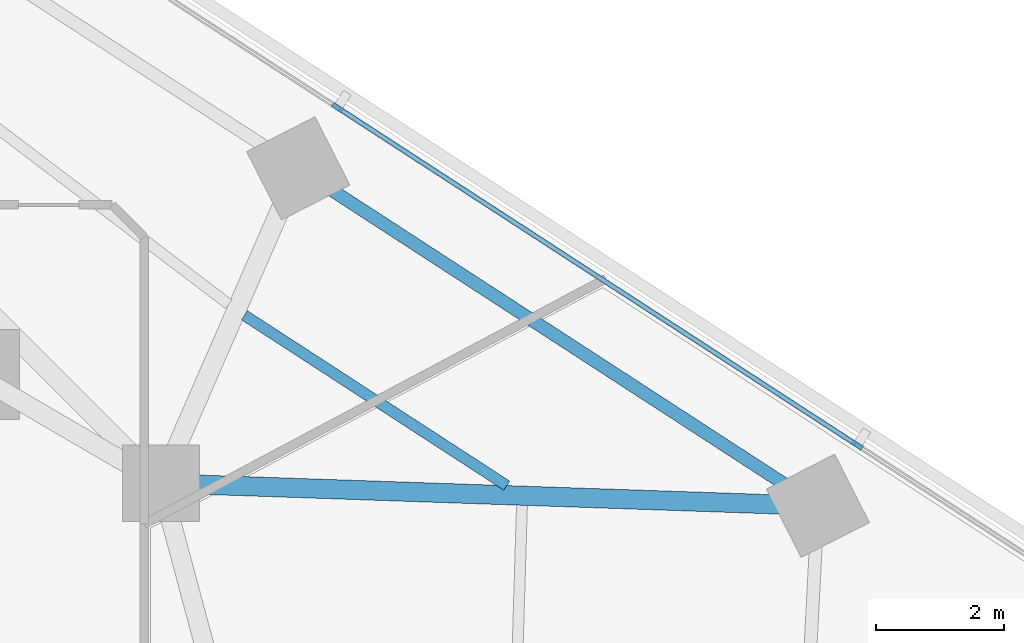
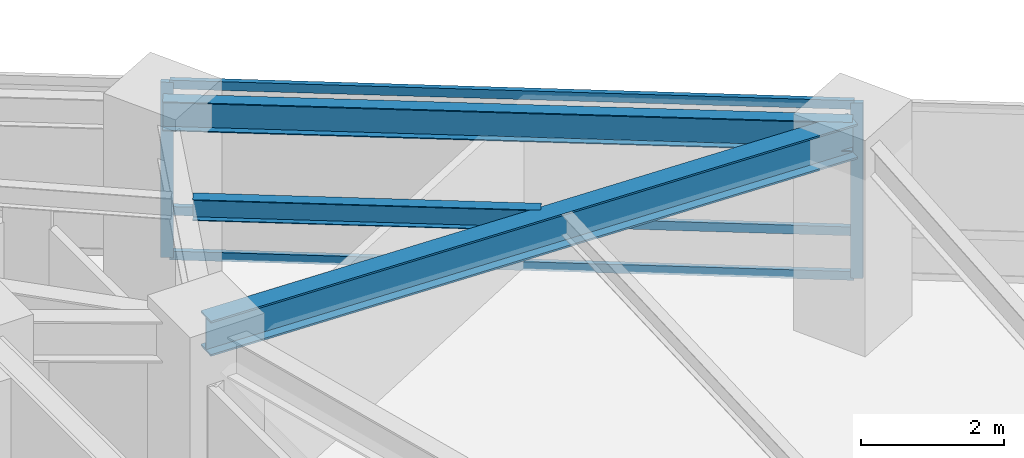
# One storey, part 6 of 14: 5 members, 3 beams, 1 element without a shape of its own.
"""IFC4 building model written with IfcOpenShell, lengths in metres."""

import ifcopenshell
import ifcopenshell.guid

model = None  # the IFC model being written
_history = None  # IfcOwnerHistory: only IFC2X3 demands one
_inside = {}  # id of a spatial element -> (the spatial element, [elements in it])
_under = {}  # id of a project, library or spatial element -> (it, [spatial elements below it])
_declared = {}  # id of a project -> (the project, [libraries it declares])
_typed = {}  # id of a type object -> (the type object, [elements of that type])
_made_of = {}  # id of a material, layer set ... -> (it, [elements and type objects made of it])


def new_model(schema):
    """Start an empty IFC model of exactly this schema.

    Asked for "IFC4X3", IfcOpenShell would pick the latest addendum, in which some entities
    have other attributes; the version numbers below select the first issue.
    IFC2X3 requires an IfcOwnerHistory on every rooted entity: one is made here for all.
    """
    global model, _history
    if schema == "IFC4X3":
        model = ifcopenshell.file(schema_version=(4, 3, 0, 0))
    else:
        model = ifcopenshell.file(schema=schema)
    _inside.clear()
    _under.clear()
    _declared.clear()
    _typed.clear()
    _made_of.clear()
    _history = None
    if model.schema == "IFC2X3":
        org = make("IfcOrganization", Name="unknown")
        user = make(
            "IfcPersonAndOrganization",
            ThePerson=make("IfcPerson", FamilyName="unknown"),
            TheOrganization=org,
        )
        app = make(
            "IfcApplication",
            ApplicationDeveloper=org,
            Version="unknown",
            ApplicationFullName="unknown",
            ApplicationIdentifier="unknown",
        )
        _history = make(
            "IfcOwnerHistory",
            OwningUser=user,
            OwningApplication=app,
            ChangeAction="ADDED",
            CreationDate=0,
        )
    return model


def make(cls, **values):
    """One entity of the class cls with the attributes given. An attribute that is None is left unset."""
    return model.create_entity(
        cls, **{name: value for name, value in values.items() if value is not None}
    )


def rooted(cls, **values):
    """An entity with a GlobalId (a new one), such as an element, a storey or a relation."""
    return make(cls, GlobalId=ifcopenshell.guid.new(), OwnerHistory=_history, **values)


def si_unit(unit_type, name, prefix=None):
    """IfcSIUnit, for example si_unit("LENGTHUNIT", "METRE", prefix="MILLI")."""
    return make("IfcSIUnit", UnitType=unit_type, Prefix=prefix, Name=name)


def assignment(units):
    """IfcUnitAssignment: the units of a project."""
    return None if units is None else make("IfcUnitAssignment", Units=units)


def point(xyz):
    """IfcCartesianPoint."""
    return None if xyz is None else make("IfcCartesianPoint", Coordinates=xyz)


def direction(xyz):
    """IfcDirection."""
    return None if xyz is None else make("IfcDirection", DirectionRatios=xyz)


def frame(location, z_axis=None, x_axis=None):
    """IfcAxis2Placement3D, a coordinate frame: its origin and axes. An axis left out is left unset."""
    return make(
        "IfcAxis2Placement3D",
        Location=point(location),
        Axis=direction(z_axis),
        RefDirection=direction(x_axis),
    )


def frame_2d(location, x_axis=None):
    """IfcAxis2Placement2D, a coordinate frame in the plane: its origin and x axis."""
    return make(
        "IfcAxis2Placement2D", Location=point(location), RefDirection=direction(x_axis)
    )


def origin():
    """The frame at (0, 0, 0) with its axes left unset."""
    return frame((0.0, 0.0, 0.0))


def origin_2d():
    """The frame at (0, 0) in the plane with its x axis left unset."""
    return frame_2d((0.0, 0.0))


def place(relative_to, where):
    """IfcLocalPlacement: puts the frame where relative to a parent placement (None: the world)."""
    return make(
        "IfcLocalPlacement", PlacementRelTo=relative_to, RelativePlacement=where
    )


def context(
    kind, dimensions, precision=None, world=None, true_north=None, identifier=None
):
    """IfcGeometricRepresentationContext, for example the 3D "Model" context."""
    return make(
        "IfcGeometricRepresentationContext",
        ContextIdentifier=identifier,
        ContextType=kind,
        CoordinateSpaceDimension=dimensions,
        Precision=precision,
        WorldCoordinateSystem=world,
        TrueNorth=true_north,
    )


def subcontext(parent, identifier, kind, view, scale=None):
    """IfcGeometricRepresentationSubContext, for example "Body" below "Model"."""
    return make(
        "IfcGeometricRepresentationSubContext",
        ContextIdentifier=identifier,
        ContextType=kind,
        ParentContext=parent,
        TargetScale=scale,
        TargetView=view,
    )


def project(units=None, contexts=None):
    """IfcProject with its units and contexts."""
    return rooted(
        "IfcProject",
        Name="project",
        RepresentationContexts=contexts,
        UnitsInContext=assignment(units),
    )


def spatial(cls, under=None, at=None, **own):
    """A site, building, storey or space (cls), placed at a placement, below another one or the project."""
    s = rooted(cls, ObjectPlacement=at, **own)
    if under is not None:
        _under.setdefault(under.id(), (under, []))[1].append(s)
    return s


def profile(cls, at=None, kind="AREA", **sizes):
    """A parametric profile (cls). Its sizes go by their IFC names, for example OverallWidth=200.0."""
    return make(cls, ProfileType=kind, Position=at, **sizes)


def rectangle(**sizes):
    """IfcRectangleProfileDef."""
    return profile("IfcRectangleProfileDef", **sizes)


def i_section(**sizes):
    """IfcIShapeProfileDef."""
    return profile("IfcIShapeProfileDef", **sizes)


def extrude(swept, where, along, depth):
    """IfcExtrudedAreaSolid: the profile swept, set in the frame where, extruded along a direction by depth."""
    return make(
        "IfcExtrudedAreaSolid",
        SweptArea=swept,
        Position=where,
        ExtrudedDirection=direction(along),
        Depth=depth,
    )


def shape(context_of_items, identifier, shape_type, items):
    """IfcShapeRepresentation: the items that make up one representation, for example the "Body"."""
    return make(
        "IfcShapeRepresentation",
        ContextOfItems=context_of_items,
        RepresentationIdentifier=identifier,
        RepresentationType=shape_type,
        Items=items,
    )


def material(Name=None, Category=None):
    """IfcMaterial."""
    return make("IfcMaterial", Name=Name, Category=Category)


def layer(
    of_material, thickness, ventilated=None, Name=None, Category=None, Priority=None
):
    """IfcMaterialLayer: one layer of a wall or slab, of a material (None: an air gap)."""
    return make(
        "IfcMaterialLayer",
        Material=of_material,
        LayerThickness=thickness,
        IsVentilated=ventilated,
        Name=Name,
        Category=Category,
        Priority=Priority,
    )


def layer_set(layers, Name=None):
    """IfcMaterialLayerSet."""
    return make("IfcMaterialLayerSet", MaterialLayers=layers, LayerSetName=Name)


def material_profile(
    of_material, cross_section, Name=None, Category=None, Priority=None
):
    """IfcMaterialProfile: a cross section and its material."""
    return make(
        "IfcMaterialProfile",
        Name=Name,
        Material=of_material,
        Profile=cross_section,
        Priority=Priority,
        Category=Category,
    )


def profile_set(profiles, Name=None, composite=None):
    """IfcMaterialProfileSet."""
    return make(
        "IfcMaterialProfileSet",
        Name=Name,
        MaterialProfiles=profiles,
        CompositeProfile=composite,
    )


def made_of(thing, what):
    """Note that an element or type object is made of a material, layer set ...; save() writes the relation."""
    if what is not None:
        _made_of.setdefault(what.id(), (what, []))[1].append(thing)
    return thing


def type_object(cls, material=None, **own):
    """A type object (cls), such as IfcWallType, which elements share."""
    return made_of(rooted(cls, **own), material)


def element(
    cls,
    number,
    at=None,
    inside=None,
    cuts=None,
    type_object=None,
    material=None,
    context=None,
    identifier="Body",
    shape_type=None,
    held_by="IfcProductDefinitionShape",
    body=None,
    shapes=None,
    **own,
):
    """One element of the class cls, such as IfcWall. Its Tag is "e" and its number.

    at: its placement. inside: the storey or other place that contains it. cuts: it is an
    opening in that element (IfcRelVoidsElement). A single representation is given by context,
    identifier, shape_type and body (its items); several are given by shapes. held_by: the class
    of the entity that holds the representations. save() writes the other relations.
    """
    e = rooted(cls, Tag="e%d" % number, ObjectPlacement=at, **own)
    if body is not None:
        shapes = [shape(context, identifier, shape_type, body)]
    if shapes is not None:
        e.Representation = make(held_by, Representations=shapes)
    if inside is not None:
        _inside.setdefault(inside.id(), (inside, []))[1].append(e)
    if cuts is not None:
        rooted(
            "IfcRelVoidsElement", RelatingBuildingElement=cuts, RelatedOpeningElement=e
        )
    if type_object is not None:
        _typed.setdefault(type_object.id(), (type_object, []))[1].append(e)
    return made_of(e, material)


def aggregate(whole, parts):
    """IfcRelAggregates: a whole, such as a stair, and the parts it consists of."""
    return rooted("IfcRelAggregates", RelatingObject=whole, RelatedObjects=parts)


def save(model, path):
    """Write the relations noted so far, then the file.

    IfcRelAggregates (storeys below a building ...), IfcRelContainedInSpatialStructure (elements
    in a storey), IfcRelDefinesByType, IfcRelAssociatesMaterial and IfcRelDeclares: one each for
    every whole, place, type object, material and project.
    """
    for whole, parts in _under.values():
        aggregate(whole, parts)
    for where, things in _inside.values():
        rooted(
            "IfcRelContainedInSpatialStructure",
            RelatedElements=things,
            RelatingStructure=where,
        )
    for kind, things in _typed.values():
        rooted("IfcRelDefinesByType", RelatedObjects=things, RelatingType=kind)
    for what, things in _made_of.values():
        rooted("IfcRelAssociatesMaterial", RelatedObjects=things, RelatingMaterial=what)
    for by, libraries in _declared.values():
        rooted("IfcRelDeclares", RelatingContext=by, RelatedDefinitions=libraries)
    model.write(path)


model = new_model("IFC4")

# Units and contexts
model_context = context("Model", 3, precision=1e-05, world=origin(), true_north=direction((0.0, 1.0)))
body_context = subcontext(model_context, "Body", "Model", "MODEL_VIEW")
ifc_project = project(units=[si_unit("LENGTHUNIT", "METRE"), si_unit("AREAUNIT", "SQUARE_METRE"), si_unit("VOLUMEUNIT", "CUBIC_METRE"), si_unit("PLANEANGLEUNIT", "RADIAN"), si_unit("MASSUNIT", "GRAM", prefix="KILO")], contexts=[model_context])

# Site, building, storey
site_placement = place(None, origin())
site = spatial("IfcSite", under=ifc_project, at=site_placement, CompositionType="ELEMENT")
building_placement = place(site_placement, origin())
building = spatial("IfcBuilding", under=site, at=building_placement, Name="Terralouvre Media Tower", CompositionType="ELEMENT")
storey_placement = place(building_placement, frame((0.0, 0.0, 134.699951171875)))
storey = spatial("IfcBuildingStorey", under=building, at=storey_placement, Name="L34", CompositionType="ELEMENT", Elevation=134.699951171875)

# Beam
ifc_material_1 = material(Name="Structural steel S355J2", Category="steel")
ifc_material_profile_1 = material_profile(ifc_material_1, i_section(OverallWidth=0.169921875, OverallDepth=0.360107421875, WebThickness=0.008056640625, FlangeThickness=0.0126953125, at=origin_2d()), Name="IPE 360")
ifc_profile_set_1 = profile_set([ifc_material_profile_1], Name="Structural steel S355J2")
beam_type_1 = type_object("IfcBeamType", Name="Composite Floor Joist J-IPE360 (IPE 360)", PredefinedType="JOIST", material=ifc_profile_set_1)
beam_1_placement = place(storey_placement, frame((16.31494140625, 6.263916015625, 3.320068359375), z_axis=(-0.838663920822, 0.544649270551, 0.0), x_axis=(-0.544649270551, -0.838663920822, 0.0)))
element("IfcBeam", 1, at=beam_1_placement, inside=storey, type_object=beam_type_1, Name="L34 Framing Beam JT-L34-07", PredefinedType="JOIST", context=body_context, shape_type="SweptSolid", body=[
    extrude(i_section(OverallWidth=0.169921875, OverallDepth=0.360107421875, WebThickness=0.008056640625, FlangeThickness=0.0126953125, at=origin_2d()), origin(), (0.0, 0.0, 1.0), 4.885009765625),
])

# Curtain wall, members
ifc_material_2 = material(Name="Low-iron laminated double glazing with solar-control coating", Category="glass")
ifc_layer = layer(ifc_material_2, 0.1650390625, Name="Production Studio Tower Curtain Wall CW-03")
ifc_layer_set = layer_set([ifc_layer], Name="Low-iron laminated double glazing with solar-control coating")
curtain_wall_type = type_object("IfcCurtainWallType", Name="Production Studio Tower Curtain Wall CW-03", PredefinedType="NOTDEFINED", material=ifc_layer_set)
curtain_wall_placement = place(storey_placement, origin())
curtain_wall = element("IfcCurtainWall", 2, at=curtain_wall_placement, inside=storey, type_object=curtain_wall_type, Name="L34 Facade Curtain Wall F1", PredefinedType="NOTDEFINED")
ifc_material_3 = material(Name="Anodised extruded aluminium 6063-T6", Category="aluminium")
ifc_material_profile_2 = material_profile(ifc_material_3, rectangle(XDim=0.074951171875, YDim=0.14990234375, at=origin_2d()), Name="ALU 75x150")
ifc_profile_set_2 = profile_set([ifc_material_profile_2], Name="Anodised extruded aluminium 6063-T6")
member_type_1 = type_object("IfcMemberType", Name="Curtain-Wall Horizontal Transom TR-150", PredefinedType="USERDEFINED", material=ifc_profile_set_2)
member_1_placement = place(storey_placement, frame((21.760009765625, 6.916259765625, 0.03759765625), z_axis=(-0.838661320759, 0.544653274169, 0.0), x_axis=(-0.544653274169, -0.838661320759, 0.0)))
member_1 = element("IfcMember", 3, at=member_1_placement, type_object=member_type_1, Name="CW-03 transom 2.1", ObjectType="TRANSOM", PredefinedType="USERDEFINED", context=body_context, shape_type="SweptSolid", body=[
    extrude(rectangle(XDim=0.074951171875, YDim=0.14990234375, at=origin_2d()), origin(), (0.0, 0.0, 1.0), 9.60498046875),
])
member_2_placement = place(storey_placement, frame((21.760009765625, 6.916259765625, 0.800048828125), z_axis=(-0.838661320759, 0.544653274169, 0.0), x_axis=(-0.544653274169, -0.838661320759, 0.0)))
member_2 = element("IfcMember", 4, at=member_2_placement, type_object=member_type_1, Name="CW-03 transom 2.2", ObjectType="TRANSOM", PredefinedType="USERDEFINED", context=body_context, shape_type="SweptSolid", body=[
    extrude(rectangle(XDim=0.074951171875, YDim=0.14990234375, at=origin_2d()), origin(), (0.0, 0.0, 1.0), 9.60498046875),
])
member_3_placement = place(storey_placement, frame((21.760009765625, 6.916259765625, 2.962646484375), z_axis=(-0.838661320759, 0.544653274169, 0.0), x_axis=(-0.544653274169, -0.838661320759, 0.0)))
member_3 = element("IfcMember", 5, at=member_3_placement, type_object=member_type_1, Name="CW-03 transom 2.3", ObjectType="TRANSOM", PredefinedType="USERDEFINED", context=body_context, shape_type="SweptSolid", body=[
    extrude(rectangle(XDim=0.074951171875, YDim=0.14990234375, at=origin_2d()), origin(), (0.0, 0.0, 1.0), 9.60498046875),
])
ifc_material_4 = material(Name="Anodised extruded aluminium 6063-T6", Category="aluminium")
ifc_material_profile_3 = material_profile(ifc_material_4, rectangle(XDim=0.074951171875, YDim=0.179931640625, at=origin_2d()), Name="ALU 75x180")
ifc_profile_set_3 = profile_set([ifc_material_profile_3], Name="Anodised extruded aluminium 6063-T6")
member_type_2 = type_object("IfcMemberType", Name="Curtain-Wall Vertical Mullion ML-180", PredefinedType="MULLION", material=ifc_profile_set_3)
member_4_placement = place(storey_placement, frame((21.79150390625, 6.89599609375, 0.0), z_axis=(0.0, 0.0, 1.0), x_axis=(-0.544639002681, -0.838670588944, 0.0)))
member_4 = element("IfcMember", 6, at=member_4_placement, type_object=member_type_2, Name="CW-03 mullion 2", PredefinedType="MULLION", context=body_context, shape_type="SweptSolid", body=[
    extrude(rectangle(XDim=0.074951171875, YDim=0.179931640625, at=origin_2d()), origin(), (0.0, 0.0, 1.0), 3.0),
])
member_5_placement = place(storey_placement, frame((13.673095703125, 12.16796875, 0.0), z_axis=(0.0, 0.0, 1.0), x_axis=(-0.544639002681, -0.838670588944, 0.0)))
member_5 = element("IfcMember", 7, at=member_5_placement, type_object=member_type_2, Name="CW-03 mullion 3", PredefinedType="MULLION", context=body_context, shape_type="SweptSolid", body=[
    extrude(rectangle(XDim=0.074951171875, YDim=0.179931640625, at=origin_2d()), origin(), (0.0, 0.0, 1.0), 3.0),
])
aggregate(curtain_wall, [member_4, member_5, member_1, member_2, member_3])

# Beams
ifc_material_5 = material(Name="Structural steel S355J2", Category="steel")
ifc_material_profile_4 = material_profile(ifc_material_5, i_section(OverallWidth=0.199951171875, OverallDepth=0.5, WebThickness=0.01025390625, FlangeThickness=0.01611328125, at=origin_2d()), Name="IPE 500")
ifc_profile_set_4 = profile_set([ifc_material_profile_4], Name="Structural steel S355J2")
beam_type_2 = type_object("IfcBeamType", Name="Perimeter Spandrel Beam SPB-500 (IPE 500)", PredefinedType="SPANDREL", material=ifc_profile_set_4)
beam_2_placement = place(storey_placement, frame((21.176025390625, 5.9482421875, 3.25), z_axis=(-0.838667695914, 0.54464345753, 0.0), x_axis=(-0.54464345753, -0.838667695914, 0.0)))
element("IfcBeam", 8, at=beam_2_placement, inside=storey, type_object=beam_type_2, Name="L34 Framing Beam BM-L34-PR07", PredefinedType="SPANDREL", context=body_context, shape_type="SweptSolid", body=[
    extrude(i_section(OverallWidth=0.199951171875, OverallDepth=0.5, WebThickness=0.01025390625, FlangeThickness=0.01611328125, at=origin_2d()), origin(), (0.0, 0.0, 1.0), 9.68017578125),
])
ifc_material_6 = material(Name="Structural steel S460M", Category="steel")
ifc_material_profile_5 = material_profile(ifc_material_6, i_section(OverallWidth=0.300048828125, OverallDepth=0.60009765625, WebThickness=0.015380859375, FlangeThickness=0.030029296875, at=origin_2d()), Name="HEB 600")
ifc_profile_set_5 = profile_set([ifc_material_profile_5], Name="Structural steel S460M")
beam_type_3 = type_object("IfcBeamType", Name="Primary Floor Girder B-HEB600 (HEB 600)", PredefinedType="BEAM", material=ifc_profile_set_5)
beam_3_placement = place(storey_placement, frame((10.911865234375, 6.300048828125, 3.199951171875), z_axis=(0.999413120714, -0.034255133128, 0.0), x_axis=(0.034255133128, 0.999413120714, 0.0)))
element("IfcBeam", 9, at=beam_3_placement, inside=storey, type_object=beam_type_3, Name="L34 Framing Beam BM-L34-RD07", PredefinedType="BEAM", context=body_context, shape_type="SweptSolid", body=[
    extrude(i_section(OverallWidth=0.300048828125, OverallDepth=0.60009765625, WebThickness=0.015380859375, FlangeThickness=0.030029296875, at=origin_2d()), origin(), (0.0, 0.0, 1.0), 10.270263671875),
])

save(model, "model.ifc")
